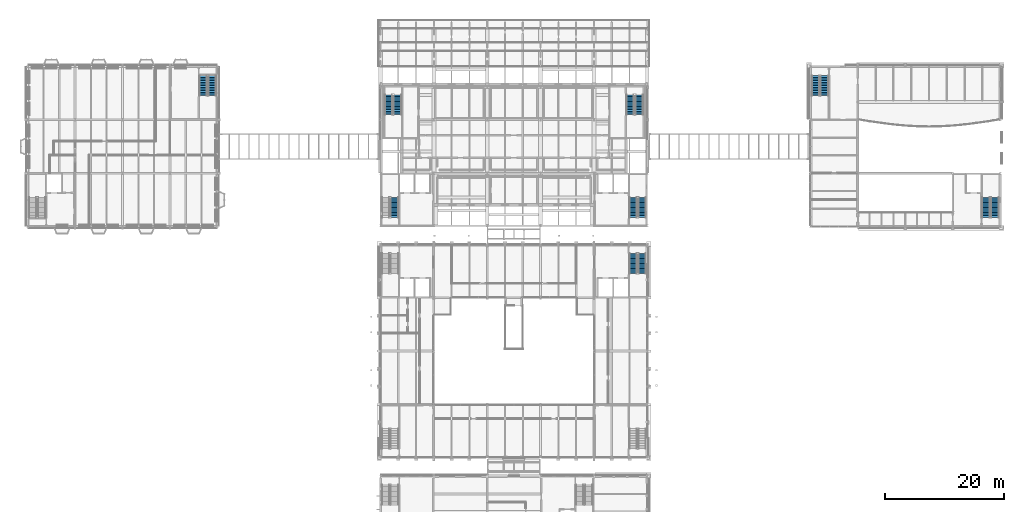
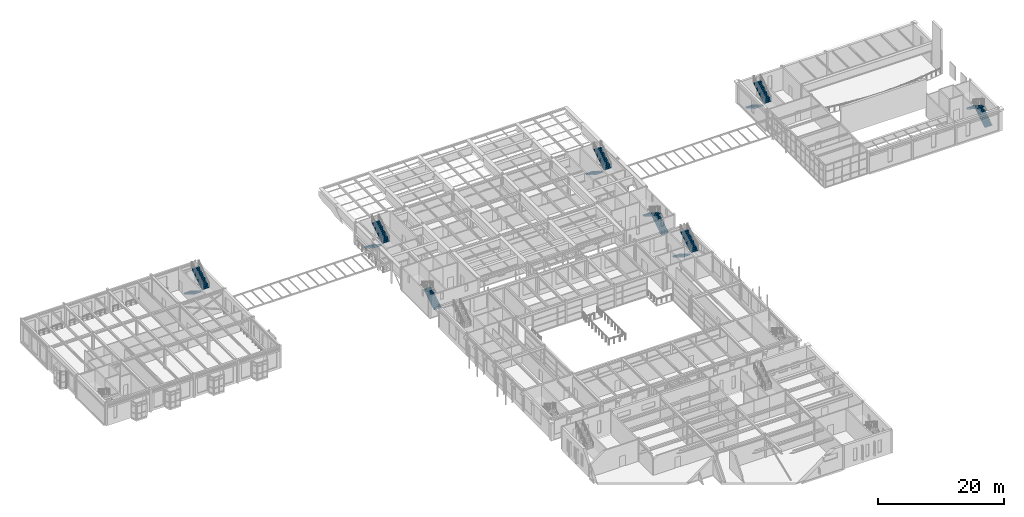
# One storey, part 110 of 153: 15 stair flights, 8 elements without a shape of their own.
"""IFC4 building model written with IfcOpenShell, lengths in metres."""

from ifc_helpers import new_model, si_unit, direction, frame, origin, place, context, subcontext, project, spatial, polyline, outline, extrude, material, type_object, element, aggregate, save


model = new_model("IFC4")

# Units and contexts
model_context = context("Model", 3, precision=1e-05, world=origin(), true_north=direction((0.0, 1.0)))
body_context = subcontext(model_context, "Body", "Model", "MODEL_VIEW")
ifc_project = project(units=[si_unit("LENGTHUNIT", "METRE"), si_unit("AREAUNIT", "SQUARE_METRE"), si_unit("VOLUMEUNIT", "CUBIC_METRE"), si_unit("PLANEANGLEUNIT", "RADIAN"), si_unit("MASSUNIT", "GRAM", prefix="KILO")], contexts=[model_context])

# Site, building, storey
site_placement = place(None, origin())
site = spatial("IfcSite", under=ifc_project, at=site_placement, CompositionType="ELEMENT")
building_placement = place(site_placement, origin())
building = spatial("IfcBuilding", under=site, at=building_placement, Name="Kallimachos Central Library", CompositionType="ELEMENT")
storey_placement = place(building_placement, frame((0.0, 0.0, 5.39990234375)))
storey = spatial("IfcBuildingStorey", under=building, at=storey_placement, Name="L01", CompositionType="ELEMENT", Elevation=5.39990234375)

# Stair, stair flights
ifc_material_1 = material(Name="Concrete C30/37", Category="concrete")
stair_type_1 = type_object("IfcStairType", Name="Escape stair", PredefinedType="HALF_TURN_STAIR", material=ifc_material_1)
stair_1_placement = place(storey_placement, origin())
stair_1 = element("IfcStair", 1, at=stair_1_placement, inside=storey, type_object=stair_type_1, Name="L01 stair ST10", PredefinedType="HALF_TURN_STAIR")
ifc_material_2 = material(Name="Concrete C30/37", Category="concrete")
stair_flight_type_1 = type_object("IfcStairFlightType", Name="Stair flight", PredefinedType="STRAIGHT", material=ifc_material_2)
stair_flight_1_placement = place(storey_placement, frame((108.125, 82.449951171875, 0.0), z_axis=(0.0, 0.0, 1.0), x_axis=(0.0, -1.0, 0.0)))
stair_flight_1 = element("IfcStairFlight", 2, at=stair_flight_1_placement, type_object=stair_flight_type_1, Name="ST10 flight 1", NumberOfRisers=13, NumberOfTreads=12, PredefinedType="STRAIGHT", RiserHeight=0.173076923, TreadLength=0.28, context=body_context, shape_type="SweptSolid", body=[
    extrude(outline(polyline([(0.0, 0.0), (0.0, 0.173095703125), (0.280029296875, 0.173095703125), (0.280029296875, 0.34619140625), (0.56005859375, 0.34619140625), (0.56005859375, 0.519287109375), (0.840087890625, 0.519287109375), (0.840087890625, 0.6923828125), (1.1201171875, 0.6923828125), (1.1201171875, 0.865478515625), (1.39990234375, 0.865478515625), (1.39990234375, 1.03857421875), (1.679931640625, 1.03857421875), (1.679931640625, 1.21142578125), (1.9599609375, 1.21142578125), (1.9599609375, 1.384521484375), (2.239990234375, 1.384521484375), (2.239990234375, 1.5576171875), (2.52001953125, 1.5576171875), (2.52001953125, 1.730712890625), (2.800048828125, 1.730712890625), (2.800048828125, 1.90380859375), (3.080078125, 1.90380859375), (3.080078125, 2.076904296875), (3.360107421875, 2.076904296875), (3.360107421875, 2.25), (3.360107421875, 1.900634765625), (0.28515625, 0.0), (0.0, 0.0)])), frame((0.0, 0.675048828125, 0.0), z_axis=(0.0, -1.0, 0.0), x_axis=(1.0, 0.0, 0.0)), (0.0, 0.0, 1.0), 1.35009765625),
])
stair_flight_2_placement = place(storey_placement, frame((109.625, 79.090087890625, 2.25), z_axis=(0.0, 0.0, 1.0), x_axis=(0.0, 1.0, 0.0)))
stair_flight_2 = element("IfcStairFlight", 3, at=stair_flight_2_placement, type_object=stair_flight_type_1, Name="ST10 flight 2", NumberOfRisers=13, NumberOfTreads=12, PredefinedType="STRAIGHT", RiserHeight=0.173076923, TreadLength=0.28, context=body_context, shape_type="SweptSolid", body=[
    extrude(outline(polyline([(0.0, 0.0), (0.0, 0.173095703125), (0.280029296875, 0.173095703125), (0.280029296875, 0.34619140625), (0.56005859375, 0.34619140625), (0.56005859375, 0.519287109375), (0.840087890625, 0.519287109375), (0.840087890625, 0.6923828125), (1.1201171875, 0.6923828125), (1.1201171875, 0.865478515625), (1.39990234375, 0.865478515625), (1.39990234375, 1.03857421875), (1.679931640625, 1.03857421875), (1.679931640625, 1.21142578125), (1.9599609375, 1.21142578125), (1.9599609375, 1.384521484375), (2.239990234375, 1.384521484375), (2.239990234375, 1.5576171875), (2.52001953125, 1.5576171875), (2.52001953125, 1.730712890625), (2.800048828125, 1.730712890625), (2.800048828125, 1.90380859375), (3.080078125, 1.90380859375), (3.080078125, 2.076904296875), (3.360107421875, 2.076904296875), (3.360107421875, 2.25), (3.360107421875, 1.900634765625), (0.28515625, 0.0), (0.0, 0.0)])), frame((0.0, 0.675048828125, 0.0), z_axis=(0.0, -1.0, 0.0), x_axis=(1.0, 0.0, 0.0)), (0.0, 0.0, 1.0), 1.35009765625),
])
aggregate(stair_1, [stair_flight_1, stair_flight_2])

ifc_material_3 = material(Name="Steel S355J2", Category="steel")
stair_type_2 = type_object("IfcStairType", Name="Escape stair half-turn", PredefinedType="HALF_TURN_STAIR", material=ifc_material_3)
stair_2_placement = place(storey_placement, origin())
stair_2 = element("IfcStair", 4, at=stair_2_placement, inside=storey, type_object=stair_type_2, Name="L01 stair ST6", PredefinedType="HALF_TURN_STAIR")
ifc_material_4 = material(Name="Steel S355J2", Category="steel")
stair_flight_type_2 = type_object("IfcStairFlightType", Name="Stair flight 1350", PredefinedType="STRAIGHT", material=ifc_material_4)
stair_flight_3_placement = place(storey_placement, frame((35.625, 112.449951171875, 0.0), z_axis=(0.0, 0.0, 1.0), x_axis=(0.0, -1.0, 0.0)))
stair_flight_3 = element("IfcStairFlight", 5, at=stair_flight_3_placement, type_object=stair_flight_type_2, Name="ST6 flight 1", NumberOfRisers=13, NumberOfTreads=12, PredefinedType="STRAIGHT", RiserHeight=0.173076923, TreadLength=0.28, context=body_context, shape_type="SweptSolid", body=[
    extrude(outline(polyline([(0.0, 0.0), (0.0, 0.173095703125), (0.280029296875, 0.173095703125), (0.280029296875, 0.34619140625), (0.56005859375, 0.34619140625), (0.56005859375, 0.519287109375), (0.840087890625, 0.519287109375), (0.840087890625, 0.6923828125), (1.1201171875, 0.6923828125), (1.1201171875, 0.865478515625), (1.39990234375, 0.865478515625), (1.39990234375, 1.03857421875), (1.679931640625, 1.03857421875), (1.679931640625, 1.21142578125), (1.9599609375, 1.21142578125), (1.9599609375, 1.384521484375), (2.239990234375, 1.384521484375), (2.239990234375, 1.5576171875), (2.52001953125, 1.5576171875), (2.52001953125, 1.730712890625), (2.800048828125, 1.730712890625), (2.800048828125, 1.90380859375), (3.080078125, 1.90380859375), (3.080078125, 2.076904296875), (3.360107421875, 2.076904296875), (3.360107421875, 2.25), (3.360107421875, 1.900634765625), (0.28515625, 0.0), (0.0, 0.0)])), frame((0.0, 0.675048828125, 0.0), z_axis=(0.0, -1.0, 0.0), x_axis=(1.0, 0.0, 0.0)), (0.0, 0.0, 1.0), 1.35009765625),
])
stair_flight_4_placement = place(storey_placement, frame((37.125, 109.090087890625, 2.25), z_axis=(0.0, 0.0, 1.0), x_axis=(0.0, 1.0, 0.0)))
stair_flight_4 = element("IfcStairFlight", 6, at=stair_flight_4_placement, type_object=stair_flight_type_2, Name="ST6 flight 2", NumberOfRisers=13, NumberOfTreads=12, PredefinedType="STRAIGHT", RiserHeight=0.173076923, TreadLength=0.28, context=body_context, shape_type="SweptSolid", body=[
    extrude(outline(polyline([(0.0, 0.0), (0.0, 0.173095703125), (0.280029296875, 0.173095703125), (0.280029296875, 0.34619140625), (0.56005859375, 0.34619140625), (0.56005859375, 0.519287109375), (0.840087890625, 0.519287109375), (0.840087890625, 0.6923828125), (1.1201171875, 0.6923828125), (1.1201171875, 0.865478515625), (1.39990234375, 0.865478515625), (1.39990234375, 1.03857421875), (1.679931640625, 1.03857421875), (1.679931640625, 1.21142578125), (1.9599609375, 1.21142578125), (1.9599609375, 1.384521484375), (2.239990234375, 1.384521484375), (2.239990234375, 1.5576171875), (2.52001953125, 1.5576171875), (2.52001953125, 1.730712890625), (2.800048828125, 1.730712890625), (2.800048828125, 1.90380859375), (3.080078125, 1.90380859375), (3.080078125, 2.076904296875), (3.360107421875, 2.076904296875), (3.360107421875, 2.25), (3.360107421875, 1.900634765625), (0.28515625, 0.0), (0.0, 0.0)])), frame((0.0, 0.675048828125, 0.0), z_axis=(0.0, -1.0, 0.0), x_axis=(1.0, 0.0, 0.0)), (0.0, 0.0, 1.0), 1.35009765625),
])
aggregate(stair_2, [stair_flight_3, stair_flight_4])

ifc_material_5 = material(Name="Concrete C30/37", Category="concrete")
stair_type_3 = type_object("IfcStairType", Name="Stair V3", PredefinedType="HALF_TURN_STAIR", material=ifc_material_5)
stair_3_placement = place(storey_placement, origin())
stair_3 = element("IfcStair", 7, at=stair_3_placement, inside=storey, type_object=stair_type_3, Name="L01 stair ST7", PredefinedType="HALF_TURN_STAIR")
ifc_material_6 = material(Name="Concrete C30/37", Category="concrete")
stair_flight_type_3 = type_object("IfcStairFlightType", Name="Stair flight V3", PredefinedType="STRAIGHT", material=ifc_material_6)
stair_flight_5_placement = place(storey_placement, frame((169.125, 88.550048828125, 0.0), z_axis=(0.0, 0.0, 1.0), x_axis=(0.0, 1.0, 0.0)))
stair_flight_5 = element("IfcStairFlight", 8, at=stair_flight_5_placement, type_object=stair_flight_type_3, Name="ST7 flight 1", NumberOfRisers=13, NumberOfTreads=12, PredefinedType="STRAIGHT", RiserHeight=0.173076923, TreadLength=0.28, context=body_context, shape_type="SweptSolid", body=[
    extrude(outline(polyline([(0.0, 0.0), (0.0, 0.173095703125), (0.280029296875, 0.173095703125), (0.280029296875, 0.34619140625), (0.56005859375, 0.34619140625), (0.56005859375, 0.519287109375), (0.840087890625, 0.519287109375), (0.840087890625, 0.6923828125), (1.1201171875, 0.6923828125), (1.1201171875, 0.865478515625), (1.39990234375, 0.865478515625), (1.39990234375, 1.03857421875), (1.679931640625, 1.03857421875), (1.679931640625, 1.21142578125), (1.9599609375, 1.21142578125), (1.9599609375, 1.384521484375), (2.239990234375, 1.384521484375), (2.239990234375, 1.5576171875), (2.52001953125, 1.5576171875), (2.52001953125, 1.730712890625), (2.800048828125, 1.730712890625), (2.800048828125, 1.90380859375), (3.080078125, 1.90380859375), (3.080078125, 2.076904296875), (3.360107421875, 2.076904296875), (3.360107421875, 2.25), (3.360107421875, 1.900634765625), (0.28515625, 0.0), (0.0, 0.0)])), frame((0.0, 0.675048828125, 0.0), z_axis=(0.0, -1.0, 0.0), x_axis=(1.0, 0.0, 0.0)), (0.0, 0.0, 1.0), 1.35009765625),
])
stair_flight_6_placement = place(storey_placement, frame((167.625, 91.909912109375, 2.25), z_axis=(0.0, 0.0, 1.0), x_axis=(0.0, -1.0, 0.0)))
stair_flight_6 = element("IfcStairFlight", 9, at=stair_flight_6_placement, type_object=stair_flight_type_3, Name="ST7 flight 2", NumberOfRisers=13, NumberOfTreads=12, PredefinedType="STRAIGHT", RiserHeight=0.173076923, TreadLength=0.28, context=body_context, shape_type="SweptSolid", body=[
    extrude(outline(polyline([(0.0, 0.0), (0.0, 0.173095703125), (0.280029296875, 0.173095703125), (0.280029296875, 0.34619140625), (0.56005859375, 0.34619140625), (0.56005859375, 0.519287109375), (0.840087890625, 0.519287109375), (0.840087890625, 0.6923828125), (1.1201171875, 0.6923828125), (1.1201171875, 0.865478515625), (1.39990234375, 0.865478515625), (1.39990234375, 1.03857421875), (1.679931640625, 1.03857421875), (1.679931640625, 1.21142578125), (1.9599609375, 1.21142578125), (1.9599609375, 1.384521484375), (2.239990234375, 1.384521484375), (2.239990234375, 1.5576171875), (2.52001953125, 1.5576171875), (2.52001953125, 1.730712890625), (2.800048828125, 1.730712890625), (2.800048828125, 1.90380859375), (3.080078125, 1.90380859375), (3.080078125, 2.076904296875), (3.360107421875, 2.076904296875), (3.360107421875, 2.25), (3.360107421875, 1.900634765625), (0.28515625, 0.0), (0.0, 0.0)])), frame((0.0, 0.675048828125, 0.0), z_axis=(0.0, -1.0, 0.0), x_axis=(1.0, 0.0, 0.0)), (0.0, 0.0, 1.0), 1.35009765625),
])
aggregate(stair_3, [stair_flight_5, stair_flight_6])

stair_4_placement = place(storey_placement, origin())
stair_4 = element("IfcStair", 10, at=stair_4_placement, inside=storey, type_object=stair_type_3, Name="L01 stair ST8", PredefinedType="HALF_TURN_STAIR")
stair_flight_7_placement = place(storey_placement, frame((138.875, 112.449951171875, 0.0), z_axis=(0.0, 0.0, 1.0), x_axis=(0.0, -1.0, 0.0)))
stair_flight_7 = element("IfcStairFlight", 11, at=stair_flight_7_placement, type_object=stair_flight_type_3, Name="ST8 flight 1", NumberOfRisers=13, NumberOfTreads=12, PredefinedType="STRAIGHT", RiserHeight=0.173076923, TreadLength=0.28, context=body_context, shape_type="SweptSolid", body=[
    extrude(outline(polyline([(0.0, 0.0), (0.0, 0.173095703125), (0.280029296875, 0.173095703125), (0.280029296875, 0.34619140625), (0.56005859375, 0.34619140625), (0.56005859375, 0.519287109375), (0.840087890625, 0.519287109375), (0.840087890625, 0.6923828125), (1.1201171875, 0.6923828125), (1.1201171875, 0.865478515625), (1.39990234375, 0.865478515625), (1.39990234375, 1.03857421875), (1.679931640625, 1.03857421875), (1.679931640625, 1.21142578125), (1.9599609375, 1.21142578125), (1.9599609375, 1.384521484375), (2.239990234375, 1.384521484375), (2.239990234375, 1.5576171875), (2.52001953125, 1.5576171875), (2.52001953125, 1.730712890625), (2.800048828125, 1.730712890625), (2.800048828125, 1.90380859375), (3.080078125, 1.90380859375), (3.080078125, 2.076904296875), (3.360107421875, 2.076904296875), (3.360107421875, 2.25), (3.360107421875, 1.900634765625), (0.28515625, 0.0), (0.0, 0.0)])), frame((0.0, 0.675048828125, 0.0), z_axis=(0.0, -1.0, 0.0), x_axis=(1.0, 0.0, 0.0)), (0.0, 0.0, 1.0), 1.35009765625),
])
stair_flight_8_placement = place(storey_placement, frame((140.375, 109.090087890625, 2.25), z_axis=(0.0, 0.0, 1.0), x_axis=(0.0, 1.0, 0.0)))
stair_flight_8 = element("IfcStairFlight", 12, at=stair_flight_8_placement, type_object=stair_flight_type_3, Name="ST8 flight 2", NumberOfRisers=13, NumberOfTreads=12, PredefinedType="STRAIGHT", RiserHeight=0.173076923, TreadLength=0.28, context=body_context, shape_type="SweptSolid", body=[
    extrude(outline(polyline([(0.0, 0.0), (0.0, 0.173095703125), (0.280029296875, 0.173095703125), (0.280029296875, 0.34619140625), (0.56005859375, 0.34619140625), (0.56005859375, 0.519287109375), (0.840087890625, 0.519287109375), (0.840087890625, 0.6923828125), (1.1201171875, 0.6923828125), (1.1201171875, 0.865478515625), (1.39990234375, 0.865478515625), (1.39990234375, 1.03857421875), (1.679931640625, 1.03857421875), (1.679931640625, 1.21142578125), (1.9599609375, 1.21142578125), (1.9599609375, 1.384521484375), (2.239990234375, 1.384521484375), (2.239990234375, 1.5576171875), (2.52001953125, 1.5576171875), (2.52001953125, 1.730712890625), (2.800048828125, 1.730712890625), (2.800048828125, 1.90380859375), (3.080078125, 1.90380859375), (3.080078125, 2.076904296875), (3.360107421875, 2.076904296875), (3.360107421875, 2.25), (3.360107421875, 1.900634765625), (0.28515625, 0.0), (0.0, 0.0)])), frame((0.0, 0.675048828125, 0.0), z_axis=(0.0, -1.0, 0.0), x_axis=(1.0, 0.0, 0.0)), (0.0, 0.0, 1.0), 1.35009765625),
])
aggregate(stair_4, [stair_flight_7, stair_flight_8])

# Stair, stair flight
ifc_material_7 = material(Name="Steel S355J2", Category="steel")
stair_type_4 = type_object("IfcStairType", Name="Steel half-turn stair 1350", PredefinedType="HALF_TURN_STAIR", material=ifc_material_7)
stair_5_placement = place(storey_placement, origin())
stair_5 = element("IfcStair", 13, at=stair_5_placement, inside=storey, type_object=stair_type_4, Name="L01 stair ST1", PredefinedType="HALF_TURN_STAIR")
ifc_material_8 = material(Name="Steel S355J2", Category="steel")
stair_flight_type_4 = type_object("IfcStairFlightType", Name="Steel stair flight 1350", PredefinedType="STRAIGHT", material=ifc_material_8)
stair_flight_9_placement = place(storey_placement, frame((67.875, 88.550048828125, 0.0), z_axis=(0.0, 0.0, 1.0), x_axis=(0.0, 1.0, 0.0)))
stair_flight_9 = element("IfcStairFlight", 14, at=stair_flight_9_placement, type_object=stair_flight_type_4, Name="ST1 flight 1", NumberOfRisers=13, NumberOfTreads=12, PredefinedType="STRAIGHT", RiserHeight=0.173076923, TreadLength=0.28, context=body_context, shape_type="SweptSolid", body=[
    extrude(outline(polyline([(0.0, 0.0), (0.0, 0.173095703125), (0.280029296875, 0.173095703125), (0.280029296875, 0.34619140625), (0.56005859375, 0.34619140625), (0.56005859375, 0.519287109375), (0.840087890625, 0.519287109375), (0.840087890625, 0.6923828125), (1.1201171875, 0.6923828125), (1.1201171875, 0.865478515625), (1.39990234375, 0.865478515625), (1.39990234375, 1.03857421875), (1.679931640625, 1.03857421875), (1.679931640625, 1.21142578125), (1.9599609375, 1.21142578125), (1.9599609375, 1.384521484375), (2.239990234375, 1.384521484375), (2.239990234375, 1.5576171875), (2.52001953125, 1.5576171875), (2.52001953125, 1.730712890625), (2.800048828125, 1.730712890625), (2.800048828125, 1.90380859375), (3.080078125, 1.90380859375), (3.080078125, 2.076904296875), (3.360107421875, 2.076904296875), (3.360107421875, 2.25), (3.360107421875, 1.900634765625), (0.28515625, 0.0), (0.0, 0.0)])), frame((0.0, 0.675048828125, 0.0), z_axis=(0.0, -1.0, 0.0), x_axis=(1.0, 0.0, 0.0)), (0.0, 0.0, 1.0), 1.35009765625),
])
aggregate(stair_5, [stair_flight_9])

# Stair, stair flights
stair_6_placement = place(storey_placement, origin())
stair_6 = element("IfcStair", 15, at=stair_6_placement, inside=storey, type_object=stair_type_4, Name="L01 stair ST2", PredefinedType="HALF_TURN_STAIR")
stair_flight_10_placement = place(storey_placement, frame((109.625, 88.550048828125, 0.0), z_axis=(0.0, 0.0, 1.0), x_axis=(0.0, 1.0, 0.0)))
stair_flight_10 = element("IfcStairFlight", 16, at=stair_flight_10_placement, type_object=stair_flight_type_4, Name="ST2 flight 1", NumberOfRisers=13, NumberOfTreads=12, PredefinedType="STRAIGHT", RiserHeight=0.173076923, TreadLength=0.28, context=body_context, shape_type="SweptSolid", body=[
    extrude(outline(polyline([(0.0, 0.0), (0.0, 0.173095703125), (0.280029296875, 0.173095703125), (0.280029296875, 0.34619140625), (0.56005859375, 0.34619140625), (0.56005859375, 0.519287109375), (0.840087890625, 0.519287109375), (0.840087890625, 0.6923828125), (1.1201171875, 0.6923828125), (1.1201171875, 0.865478515625), (1.39990234375, 0.865478515625), (1.39990234375, 1.03857421875), (1.679931640625, 1.03857421875), (1.679931640625, 1.21142578125), (1.9599609375, 1.21142578125), (1.9599609375, 1.384521484375), (2.239990234375, 1.384521484375), (2.239990234375, 1.5576171875), (2.52001953125, 1.5576171875), (2.52001953125, 1.730712890625), (2.800048828125, 1.730712890625), (2.800048828125, 1.90380859375), (3.080078125, 1.90380859375), (3.080078125, 2.076904296875), (3.360107421875, 2.076904296875), (3.360107421875, 2.25), (3.360107421875, 1.900634765625), (0.28515625, 0.0), (0.0, 0.0)])), frame((0.0, 0.675048828125, 0.0), z_axis=(0.0, -1.0, 0.0), x_axis=(1.0, 0.0, 0.0)), (0.0, 0.0, 1.0), 1.35009765625),
])
stair_flight_11_placement = place(storey_placement, frame((108.125, 91.909912109375, 2.25), z_axis=(0.0, 0.0, 1.0), x_axis=(0.0, -1.0, 0.0)))
stair_flight_11 = element("IfcStairFlight", 17, at=stair_flight_11_placement, type_object=stair_flight_type_4, Name="ST2 flight 2", NumberOfRisers=13, NumberOfTreads=12, PredefinedType="STRAIGHT", RiserHeight=0.173076923, TreadLength=0.28, context=body_context, shape_type="SweptSolid", body=[
    extrude(outline(polyline([(0.0, 0.0), (0.0, 0.173095703125), (0.280029296875, 0.173095703125), (0.280029296875, 0.34619140625), (0.56005859375, 0.34619140625), (0.56005859375, 0.519287109375), (0.840087890625, 0.519287109375), (0.840087890625, 0.6923828125), (1.1201171875, 0.6923828125), (1.1201171875, 0.865478515625), (1.39990234375, 0.865478515625), (1.39990234375, 1.03857421875), (1.679931640625, 1.03857421875), (1.679931640625, 1.21142578125), (1.9599609375, 1.21142578125), (1.9599609375, 1.384521484375), (2.239990234375, 1.384521484375), (2.239990234375, 1.5576171875), (2.52001953125, 1.5576171875), (2.52001953125, 1.730712890625), (2.800048828125, 1.730712890625), (2.800048828125, 1.90380859375), (3.080078125, 1.90380859375), (3.080078125, 2.076904296875), (3.360107421875, 2.076904296875), (3.360107421875, 2.25), (3.360107421875, 1.900634765625), (0.28515625, 0.0), (0.0, 0.0)])), frame((0.0, 0.675048828125, 0.0), z_axis=(0.0, -1.0, 0.0), x_axis=(1.0, 0.0, 0.0)), (0.0, 0.0, 1.0), 1.35009765625),
])
aggregate(stair_6, [stair_flight_10, stair_flight_11])

stair_7_placement = place(storey_placement, origin())
stair_7 = element("IfcStair", 18, at=stair_7_placement, inside=storey, type_object=stair_type_4, Name="L01 stair ST3", PredefinedType="HALF_TURN_STAIR")
stair_flight_12_placement = place(storey_placement, frame((66.875, 109.22509765625, 0.0), z_axis=(0.0, 0.0, 1.0), x_axis=(0.0, -1.0, 0.0)))
stair_flight_12 = element("IfcStairFlight", 19, at=stair_flight_12_placement, type_object=stair_flight_type_4, Name="ST3 flight 1", NumberOfRisers=13, NumberOfTreads=12, PredefinedType="STRAIGHT", RiserHeight=0.173076923, TreadLength=0.28, context=body_context, shape_type="SweptSolid", body=[
    extrude(outline(polyline([(0.0, 0.0), (0.0, 0.173095703125), (0.280029296875, 0.173095703125), (0.280029296875, 0.34619140625), (0.56005859375, 0.34619140625), (0.56005859375, 0.519287109375), (0.840087890625, 0.519287109375), (0.840087890625, 0.6923828125), (1.1201171875, 0.6923828125), (1.1201171875, 0.865478515625), (1.39990234375, 0.865478515625), (1.39990234375, 1.03857421875), (1.679931640625, 1.03857421875), (1.679931640625, 1.21142578125), (1.9599609375, 1.21142578125), (1.9599609375, 1.384521484375), (2.239990234375, 1.384521484375), (2.239990234375, 1.5576171875), (2.52001953125, 1.5576171875), (2.52001953125, 1.730712890625), (2.800048828125, 1.730712890625), (2.800048828125, 1.90380859375), (3.080078125, 1.90380859375), (3.080078125, 2.076904296875), (3.360107421875, 2.076904296875), (3.360107421875, 2.25), (3.360107421875, 1.900634765625), (0.28515625, 0.0), (0.0, 0.0)])), frame((0.0, 0.675048828125, 0.0), z_axis=(0.0, -1.0, 0.0), x_axis=(1.0, 0.0, 0.0)), (0.0, 0.0, 1.0), 1.35009765625),
])
stair_flight_13_placement = place(storey_placement, frame((68.375, 105.864990234375, 2.25), z_axis=(0.0, 0.0, 1.0), x_axis=(0.0, 1.0, 0.0)))
stair_flight_13 = element("IfcStairFlight", 20, at=stair_flight_13_placement, type_object=stair_flight_type_4, Name="ST3 flight 2", NumberOfRisers=13, NumberOfTreads=12, PredefinedType="STRAIGHT", RiserHeight=0.173076923, TreadLength=0.28, context=body_context, shape_type="SweptSolid", body=[
    extrude(outline(polyline([(0.0, 0.0), (0.0, 0.173095703125), (0.280029296875, 0.173095703125), (0.280029296875, 0.34619140625), (0.56005859375, 0.34619140625), (0.56005859375, 0.519287109375), (0.840087890625, 0.519287109375), (0.840087890625, 0.6923828125), (1.1201171875, 0.6923828125), (1.1201171875, 0.865478515625), (1.39990234375, 0.865478515625), (1.39990234375, 1.03857421875), (1.679931640625, 1.03857421875), (1.679931640625, 1.21142578125), (1.9599609375, 1.21142578125), (1.9599609375, 1.384521484375), (2.239990234375, 1.384521484375), (2.239990234375, 1.5576171875), (2.52001953125, 1.5576171875), (2.52001953125, 1.730712890625), (2.800048828125, 1.730712890625), (2.800048828125, 1.90380859375), (3.080078125, 1.90380859375), (3.080078125, 2.076904296875), (3.360107421875, 2.076904296875), (3.360107421875, 2.25), (3.360107421875, 1.900634765625), (0.28515625, 0.0), (0.0, 0.0)])), frame((0.0, 0.675048828125, 0.0), z_axis=(0.0, -1.0, 0.0), x_axis=(1.0, 0.0, 0.0)), (0.0, 0.0, 1.0), 1.35009765625),
])
aggregate(stair_7, [stair_flight_12, stair_flight_13])

stair_8_placement = place(storey_placement, origin())
stair_8 = element("IfcStair", 21, at=stair_8_placement, inside=storey, type_object=stair_type_4, Name="L01 stair ST4", PredefinedType="HALF_TURN_STAIR")
stair_flight_14_placement = place(storey_placement, frame((107.625, 109.22509765625, 0.0), z_axis=(0.0, 0.0, 1.0), x_axis=(0.0, -1.0, 0.0)))
stair_flight_14 = element("IfcStairFlight", 22, at=stair_flight_14_placement, type_object=stair_flight_type_4, Name="ST4 flight 1", NumberOfRisers=13, NumberOfTreads=12, PredefinedType="STRAIGHT", RiserHeight=0.173076923, TreadLength=0.28, context=body_context, shape_type="SweptSolid", body=[
    extrude(outline(polyline([(0.0, 0.0), (0.0, 0.173095703125), (0.280029296875, 0.173095703125), (0.280029296875, 0.34619140625), (0.56005859375, 0.34619140625), (0.56005859375, 0.519287109375), (0.840087890625, 0.519287109375), (0.840087890625, 0.6923828125), (1.1201171875, 0.6923828125), (1.1201171875, 0.865478515625), (1.39990234375, 0.865478515625), (1.39990234375, 1.03857421875), (1.679931640625, 1.03857421875), (1.679931640625, 1.21142578125), (1.9599609375, 1.21142578125), (1.9599609375, 1.384521484375), (2.239990234375, 1.384521484375), (2.239990234375, 1.5576171875), (2.52001953125, 1.5576171875), (2.52001953125, 1.730712890625), (2.800048828125, 1.730712890625), (2.800048828125, 1.90380859375), (3.080078125, 1.90380859375), (3.080078125, 2.076904296875), (3.360107421875, 2.076904296875), (3.360107421875, 2.25), (3.360107421875, 1.900634765625), (0.28515625, 0.0), (0.0, 0.0)])), frame((0.0, 0.675048828125, 0.0), z_axis=(0.0, -1.0, 0.0), x_axis=(1.0, 0.0, 0.0)), (0.0, 0.0, 1.0), 1.35009765625),
])
stair_flight_15_placement = place(storey_placement, frame((109.125, 105.864990234375, 2.25), z_axis=(0.0, 0.0, 1.0), x_axis=(0.0, 1.0, 0.0)))
stair_flight_15 = element("IfcStairFlight", 23, at=stair_flight_15_placement, type_object=stair_flight_type_4, Name="ST4 flight 2", NumberOfRisers=13, NumberOfTreads=12, PredefinedType="STRAIGHT", RiserHeight=0.173076923, TreadLength=0.28, context=body_context, shape_type="SweptSolid", body=[
    extrude(outline(polyline([(0.0, 0.0), (0.0, 0.173095703125), (0.280029296875, 0.173095703125), (0.280029296875, 0.34619140625), (0.56005859375, 0.34619140625), (0.56005859375, 0.519287109375), (0.840087890625, 0.519287109375), (0.840087890625, 0.6923828125), (1.1201171875, 0.6923828125), (1.1201171875, 0.865478515625), (1.39990234375, 0.865478515625), (1.39990234375, 1.03857421875), (1.679931640625, 1.03857421875), (1.679931640625, 1.21142578125), (1.9599609375, 1.21142578125), (1.9599609375, 1.384521484375), (2.239990234375, 1.384521484375), (2.239990234375, 1.5576171875), (2.52001953125, 1.5576171875), (2.52001953125, 1.730712890625), (2.800048828125, 1.730712890625), (2.800048828125, 1.90380859375), (3.080078125, 1.90380859375), (3.080078125, 2.076904296875), (3.360107421875, 2.076904296875), (3.360107421875, 2.25), (3.360107421875, 1.900634765625), (0.28515625, 0.0), (0.0, 0.0)])), frame((0.0, 0.675048828125, 0.0), z_axis=(0.0, -1.0, 0.0), x_axis=(1.0, 0.0, 0.0)), (0.0, 0.0, 1.0), 1.35009765625),
])
aggregate(stair_8, [stair_flight_14, stair_flight_15])

save(model, "model.ifc")
